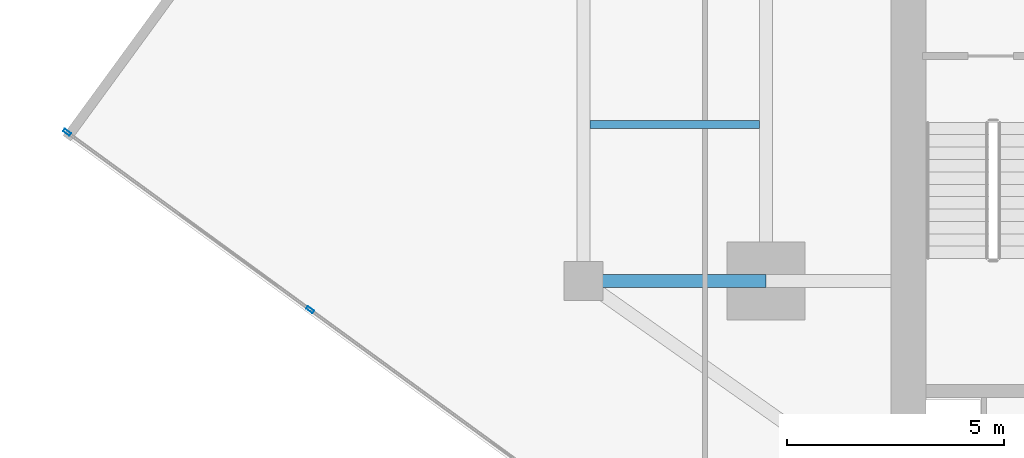
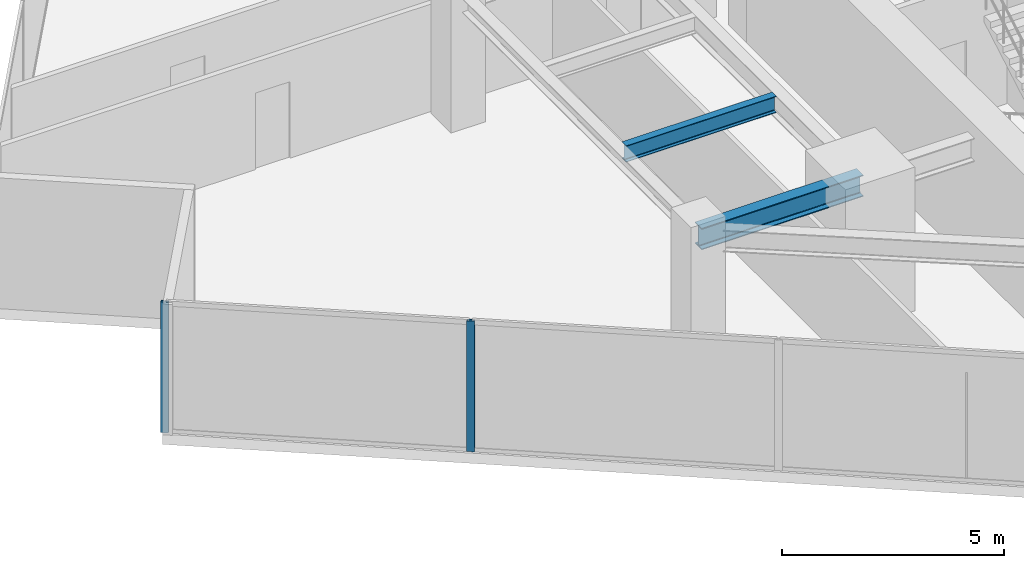
# One storey, part 5 of 25: 2 beams, 2 members, 1 element without a shape of its own.
"""IFC4 building model written with IfcOpenShell, lengths in metres."""

import ifcopenshell
import ifcopenshell.guid

model = None  # the IFC model being written
_history = None  # IfcOwnerHistory: only IFC2X3 demands one
_inside = {}  # id of a spatial element -> (the spatial element, [elements in it])
_under = {}  # id of a project, library or spatial element -> (it, [spatial elements below it])
_declared = {}  # id of a project -> (the project, [libraries it declares])
_typed = {}  # id of a type object -> (the type object, [elements of that type])
_made_of = {}  # id of a material, layer set ... -> (it, [elements and type objects made of it])


def new_model(schema):
    """Start an empty IFC model of exactly this schema.

    Asked for "IFC4X3", IfcOpenShell would pick the latest addendum, in which some entities
    have other attributes; the version numbers below select the first issue.
    IFC2X3 requires an IfcOwnerHistory on every rooted entity: one is made here for all.
    """
    global model, _history
    if schema == "IFC4X3":
        model = ifcopenshell.file(schema_version=(4, 3, 0, 0))
    else:
        model = ifcopenshell.file(schema=schema)
    _inside.clear()
    _under.clear()
    _declared.clear()
    _typed.clear()
    _made_of.clear()
    _history = None
    if model.schema == "IFC2X3":
        org = make("IfcOrganization", Name="unknown")
        user = make(
            "IfcPersonAndOrganization",
            ThePerson=make("IfcPerson", FamilyName="unknown"),
            TheOrganization=org,
        )
        app = make(
            "IfcApplication",
            ApplicationDeveloper=org,
            Version="unknown",
            ApplicationFullName="unknown",
            ApplicationIdentifier="unknown",
        )
        _history = make(
            "IfcOwnerHistory",
            OwningUser=user,
            OwningApplication=app,
            ChangeAction="ADDED",
            CreationDate=0,
        )
    return model


def make(cls, **values):
    """One entity of the class cls with the attributes given. An attribute that is None is left unset."""
    return model.create_entity(
        cls, **{name: value for name, value in values.items() if value is not None}
    )


def rooted(cls, **values):
    """An entity with a GlobalId (a new one), such as an element, a storey or a relation."""
    return make(cls, GlobalId=ifcopenshell.guid.new(), OwnerHistory=_history, **values)


def si_unit(unit_type, name, prefix=None):
    """IfcSIUnit, for example si_unit("LENGTHUNIT", "METRE", prefix="MILLI")."""
    return make("IfcSIUnit", UnitType=unit_type, Prefix=prefix, Name=name)


def assignment(units):
    """IfcUnitAssignment: the units of a project."""
    return None if units is None else make("IfcUnitAssignment", Units=units)


def point(xyz):
    """IfcCartesianPoint."""
    return None if xyz is None else make("IfcCartesianPoint", Coordinates=xyz)


def direction(xyz):
    """IfcDirection."""
    return None if xyz is None else make("IfcDirection", DirectionRatios=xyz)


def frame(location, z_axis=None, x_axis=None):
    """IfcAxis2Placement3D, a coordinate frame: its origin and axes. An axis left out is left unset."""
    return make(
        "IfcAxis2Placement3D",
        Location=point(location),
        Axis=direction(z_axis),
        RefDirection=direction(x_axis),
    )


def frame_2d(location, x_axis=None):
    """IfcAxis2Placement2D, a coordinate frame in the plane: its origin and x axis."""
    return make(
        "IfcAxis2Placement2D", Location=point(location), RefDirection=direction(x_axis)
    )


def origin():
    """The frame at (0, 0, 0) with its axes left unset."""
    return frame((0.0, 0.0, 0.0))


def origin_2d():
    """The frame at (0, 0) in the plane with its x axis left unset."""
    return frame_2d((0.0, 0.0))


def place(relative_to, where):
    """IfcLocalPlacement: puts the frame where relative to a parent placement (None: the world)."""
    return make(
        "IfcLocalPlacement", PlacementRelTo=relative_to, RelativePlacement=where
    )


def context(
    kind, dimensions, precision=None, world=None, true_north=None, identifier=None
):
    """IfcGeometricRepresentationContext, for example the 3D "Model" context."""
    return make(
        "IfcGeometricRepresentationContext",
        ContextIdentifier=identifier,
        ContextType=kind,
        CoordinateSpaceDimension=dimensions,
        Precision=precision,
        WorldCoordinateSystem=world,
        TrueNorth=true_north,
    )


def subcontext(parent, identifier, kind, view, scale=None):
    """IfcGeometricRepresentationSubContext, for example "Body" below "Model"."""
    return make(
        "IfcGeometricRepresentationSubContext",
        ContextIdentifier=identifier,
        ContextType=kind,
        ParentContext=parent,
        TargetScale=scale,
        TargetView=view,
    )


def project(units=None, contexts=None):
    """IfcProject with its units and contexts."""
    return rooted(
        "IfcProject",
        Name="project",
        RepresentationContexts=contexts,
        UnitsInContext=assignment(units),
    )


def spatial(cls, under=None, at=None, **own):
    """A site, building, storey or space (cls), placed at a placement, below another one or the project."""
    s = rooted(cls, ObjectPlacement=at, **own)
    if under is not None:
        _under.setdefault(under.id(), (under, []))[1].append(s)
    return s


def profile(cls, at=None, kind="AREA", **sizes):
    """A parametric profile (cls). Its sizes go by their IFC names, for example OverallWidth=200.0."""
    return make(cls, ProfileType=kind, Position=at, **sizes)


def hollow_rectangle(**sizes):
    """IfcRectangleHollowProfileDef."""
    return profile("IfcRectangleHollowProfileDef", **sizes)


def i_section(**sizes):
    """IfcIShapeProfileDef."""
    return profile("IfcIShapeProfileDef", **sizes)


def extrude(swept, where, along, depth):
    """IfcExtrudedAreaSolid: the profile swept, set in the frame where, extruded along a direction by depth."""
    return make(
        "IfcExtrudedAreaSolid",
        SweptArea=swept,
        Position=where,
        ExtrudedDirection=direction(along),
        Depth=depth,
    )


def shape(context_of_items, identifier, shape_type, items):
    """IfcShapeRepresentation: the items that make up one representation, for example the "Body"."""
    return make(
        "IfcShapeRepresentation",
        ContextOfItems=context_of_items,
        RepresentationIdentifier=identifier,
        RepresentationType=shape_type,
        Items=items,
    )


def source(mapping_origin, context_of_items, identifier, shape_type, items):
    """IfcRepresentationMap: a shape defined once, which mapped items show again and again."""
    return make(
        "IfcRepresentationMap",
        MappingOrigin=mapping_origin,
        MappedRepresentation=shape(context_of_items, identifier, shape_type, items),
    )


def transform(
    local_origin,
    x_axis=None,
    y_axis=None,
    z_axis=None,
    scale=None,
    scale2=None,
    scale3=None,
    uniform=True,
):
    """IfcCartesianTransformationOperator3D, or its non-uniform kind. x_axis, y_axis, z_axis: its Axis1, 2, 3."""
    if uniform:
        return make(
            "IfcCartesianTransformationOperator3D",
            Axis1=direction(x_axis),
            Axis2=direction(y_axis),
            LocalOrigin=point(local_origin),
            Scale=scale,
            Axis3=direction(z_axis),
        )
    return make(
        "IfcCartesianTransformationOperator3DnonUniform",
        Axis1=direction(x_axis),
        Axis2=direction(y_axis),
        LocalOrigin=point(local_origin),
        Scale=scale,
        Axis3=direction(z_axis),
        Scale2=scale2,
        Scale3=scale3,
    )


def mapped(mapping_source, mapping_target):
    """IfcMappedItem: shows the shape of a source again, moved by a transform."""
    return make(
        "IfcMappedItem", MappingSource=mapping_source, MappingTarget=mapping_target
    )


def material(Name=None, Category=None):
    """IfcMaterial."""
    return make("IfcMaterial", Name=Name, Category=Category)


def material_profile(
    of_material, cross_section, Name=None, Category=None, Priority=None
):
    """IfcMaterialProfile: a cross section and its material."""
    return make(
        "IfcMaterialProfile",
        Name=Name,
        Material=of_material,
        Profile=cross_section,
        Priority=Priority,
        Category=Category,
    )


def profile_set(profiles, Name=None, composite=None):
    """IfcMaterialProfileSet."""
    return make(
        "IfcMaterialProfileSet",
        Name=Name,
        MaterialProfiles=profiles,
        CompositeProfile=composite,
    )


def made_of(thing, what):
    """Note that an element or type object is made of a material, layer set ...; save() writes the relation."""
    if what is not None:
        _made_of.setdefault(what.id(), (what, []))[1].append(thing)
    return thing


def type_object(cls, material=None, **own):
    """A type object (cls), such as IfcWallType, which elements share."""
    return made_of(rooted(cls, **own), material)


def type_shapes(of_type, sources):
    """Give a type object the sources (RepresentationMaps) that its elements show as mapped items."""
    of_type.RepresentationMaps = sources


def element(
    cls,
    number,
    at=None,
    inside=None,
    cuts=None,
    type_object=None,
    material=None,
    context=None,
    identifier="Body",
    shape_type=None,
    held_by="IfcProductDefinitionShape",
    body=None,
    shapes=None,
    **own,
):
    """One element of the class cls, such as IfcWall. Its Tag is "e" and its number.

    at: its placement. inside: the storey or other place that contains it. cuts: it is an
    opening in that element (IfcRelVoidsElement). A single representation is given by context,
    identifier, shape_type and body (its items); several are given by shapes. held_by: the class
    of the entity that holds the representations. save() writes the other relations.
    """
    e = rooted(cls, Tag="e%d" % number, ObjectPlacement=at, **own)
    if body is not None:
        shapes = [shape(context, identifier, shape_type, body)]
    if shapes is not None:
        e.Representation = make(held_by, Representations=shapes)
    if inside is not None:
        _inside.setdefault(inside.id(), (inside, []))[1].append(e)
    if cuts is not None:
        rooted(
            "IfcRelVoidsElement", RelatingBuildingElement=cuts, RelatedOpeningElement=e
        )
    if type_object is not None:
        _typed.setdefault(type_object.id(), (type_object, []))[1].append(e)
    return made_of(e, material)


def aggregate(whole, parts):
    """IfcRelAggregates: a whole, such as a stair, and the parts it consists of."""
    return rooted("IfcRelAggregates", RelatingObject=whole, RelatedObjects=parts)


def save(model, path):
    """Write the relations noted so far, then the file.

    IfcRelAggregates (storeys below a building ...), IfcRelContainedInSpatialStructure (elements
    in a storey), IfcRelDefinesByType, IfcRelAssociatesMaterial and IfcRelDeclares: one each for
    every whole, place, type object, material and project.
    """
    for whole, parts in _under.values():
        aggregate(whole, parts)
    for where, things in _inside.values():
        rooted(
            "IfcRelContainedInSpatialStructure",
            RelatedElements=things,
            RelatingStructure=where,
        )
    for kind, things in _typed.values():
        rooted("IfcRelDefinesByType", RelatedObjects=things, RelatingType=kind)
    for what, things in _made_of.values():
        rooted("IfcRelAssociatesMaterial", RelatedObjects=things, RelatingMaterial=what)
    for by, libraries in _declared.values():
        rooted("IfcRelDeclares", RelatingContext=by, RelatedDefinitions=libraries)
    model.write(path)


model = new_model("IFC4")

# Units and contexts
model_context = context("Model", 3, precision=1e-05, world=origin(), true_north=direction((0.0, 1.0)))
body_context = subcontext(model_context, "Body", "Model", "MODEL_VIEW")
ifc_project = project(units=[si_unit("LENGTHUNIT", "METRE"), si_unit("AREAUNIT", "SQUARE_METRE"), si_unit("VOLUMEUNIT", "CUBIC_METRE"), si_unit("PLANEANGLEUNIT", "RADIAN"), si_unit("MASSUNIT", "GRAM", prefix="KILO")], contexts=[model_context])

# Site, building, storey
site_placement = place(None, origin())
site = spatial("IfcSite", under=ifc_project, at=site_placement, CompositionType="ELEMENT")
building_placement = place(site_placement, origin())
building = spatial("IfcBuilding", under=site, at=building_placement, Name="Krantzveldt Concourse Tower", CompositionType="ELEMENT")
storey_placement = place(building_placement, frame((0.0, 0.0, 197.550048828125)))
storey = spatial("IfcBuildingStorey", under=building, at=storey_placement, Name="L48", CompositionType="ELEMENT", Elevation=197.550048828125)

# Beams
ifc_material_1 = material(Name="Steel S355JR", Category="steel")
ifc_material_profile_1 = material_profile(ifc_material_1, i_section(OverallWidth=0.300048828125, OverallDepth=0.590087890625, WebThickness=0.012939453125, FlangeThickness=0.02490234375, FilletRadius=0.027099609375, at=origin_2d()), Name="Steel S355JR", Category="steel")
ifc_profile_set_1 = profile_set([ifc_material_profile_1], Name="Steel S355JR - HEA 600")
beam_type_1 = type_object("IfcBeamType", Name="BM-B-HEA600", PredefinedType="BEAM", material=ifc_profile_set_1)
shared_shape_1 = source(origin(), body_context, "Body", "SweptSolid", [
    extrude(i_section(OverallWidth=0.300048828125, OverallDepth=0.590087890625, WebThickness=0.012939453125, FlangeThickness=0.02490234375, FilletRadius=0.027099609375, at=origin_2d()), origin(), (0.0, 0.0, 1.0), 4.199951171875),
])
type_shapes(beam_type_1, [shared_shape_1])
beam_1_placement = place(storey_placement, frame((21.0, 15.89990234375, 3.294921875), z_axis=(1.0, 0.0, 0.0), x_axis=(0.0, 1.0, 0.0)))
element("IfcBeam", 1, at=beam_1_placement, inside=storey, type_object=beam_type_1, Name="L48 Tower Girder BR-RL1", PredefinedType="BEAM", context=body_context, shape_type="MappedRepresentation", body=[
    mapped(shared_shape_1, transform((0.0, 0.0, 0.0), x_axis=(1.0, 0.0, 0.0), y_axis=(0.0, 1.0, 0.0), z_axis=(0.0, 0.0, 1.0), scale=1.0)),
])
ifc_material_profile_2 = material_profile(ifc_material_1, i_section(OverallWidth=0.18994140625, OverallDepth=0.449951171875, WebThickness=0.009521484375, FlangeThickness=0.0146484375, FilletRadius=0.02099609375, at=origin_2d()), Name="Steel S355JR", Category="steel")
ifc_profile_set_2 = profile_set([ifc_material_profile_2], Name="Steel S355JR - IPE 450")
beam_type_2 = type_object("IfcBeamType", Name="BM-J-IPE450", PredefinedType="JOIST", material=ifc_profile_set_2)
shared_shape_2 = source(origin(), body_context, "Body", "SweptSolid", [
    extrude(i_section(OverallWidth=0.18994140625, OverallDepth=0.449951171875, WebThickness=0.009521484375, FlangeThickness=0.0146484375, FilletRadius=0.02099609375, at=origin_2d()), origin(), (0.0, 0.0, 1.0), 3.900146484375),
])
type_shapes(beam_type_2, [shared_shape_2])
beam_2_placement = place(storey_placement, frame((21.14990234375, 19.5, 3.364990234375), z_axis=(1.0, 0.0, 0.0), x_axis=(0.0, 1.0, 0.0)))
element("IfcBeam", 2, at=beam_2_placement, inside=storey, type_object=beam_type_2, Name="L48 Secondary Floor Joist JW-1", PredefinedType="JOIST", context=body_context, shape_type="MappedRepresentation", body=[
    mapped(shared_shape_2, transform((0.0, 0.0, 0.0), x_axis=(1.0, 0.0, 0.0), y_axis=(0.0, 1.0, 0.0), z_axis=(0.0, 0.0, 1.0), scale=1.0)),
])

# Curtain wall, members
ifc_material_2 = material(Name="Anodised aluminium 6063-T6", Category="aluminium")
curtain_wall_type = type_object("IfcCurtainWallType", Name="CW3", PredefinedType="USERDEFINED", material=ifc_material_2)
curtain_wall_placement = place(storey_placement, origin())
curtain_wall = element("IfcCurtainWall", 3, at=curtain_wall_placement, inside=storey, type_object=curtain_wall_type, Name="CW-L48-F04", ObjectType="UNITISED CURTAIN WALL", PredefinedType="USERDEFINED")
ifc_material_profile_3 = material_profile(ifc_material_2, hollow_rectangle(XDim=0.070068359375, YDim=0.179931640625, WallThickness=0.0048828125, at=origin_2d()), Name="Anodised aluminium 6063-T6", Category="aluminium")
ifc_profile_set_3 = profile_set([ifc_material_profile_3], Name="Anodised aluminium 6063-T6 - ALU-MULL 180x70x5")
member_type = type_object("IfcMemberType", Name="CW-MUL-180", PredefinedType="MULLION", material=ifc_profile_set_3)
shared_shape_3 = source(origin(), body_context, "Body", "SweptSolid", [
    extrude(hollow_rectangle(XDim=0.070068359375, YDim=0.179931640625, WallThickness=0.0048828125, at=origin_2d()), origin(), (0.0, 0.0, 1.0), 3.58984375),
])
type_shapes(member_type, [shared_shape_3])
member_1_placement = place(storey_placement, frame((9.11572265625, 19.32080078125, 0.0), z_axis=(0.0, 0.0, 1.0), x_axis=(0.589548833895, 0.807732735781, 0.0)))
member_1 = element("IfcMember", 4, at=member_1_placement, type_object=member_type, Name="CW-Z34 mullion 1", PredefinedType="MULLION", context=body_context, shape_type="MappedRepresentation", body=[
    mapped(shared_shape_3, transform((0.0, 0.0, 0.0), x_axis=(1.0, 0.0, 0.0), y_axis=(0.0, 1.0, 0.0), z_axis=(0.0, 0.0, 1.0), scale=1.0)),
])
member_2_placement = place(storey_placement, frame((14.709228515625, 15.23828125, 0.0), z_axis=(0.0, 0.0, 1.0), x_axis=(0.589548833895, 0.807732735781, 0.0)))
member_2 = element("IfcMember", 5, at=member_2_placement, type_object=member_type, Name="CW-Z34 mullion 2", PredefinedType="MULLION", context=body_context, shape_type="MappedRepresentation", body=[
    mapped(shared_shape_3, transform((0.0, 0.0, 0.0), x_axis=(1.0, 0.0, 0.0), y_axis=(0.0, 1.0, 0.0), z_axis=(0.0, 0.0, 1.0), scale=1.0)),
])
aggregate(curtain_wall, [member_1, member_2])

save(model, "model.ifc")
